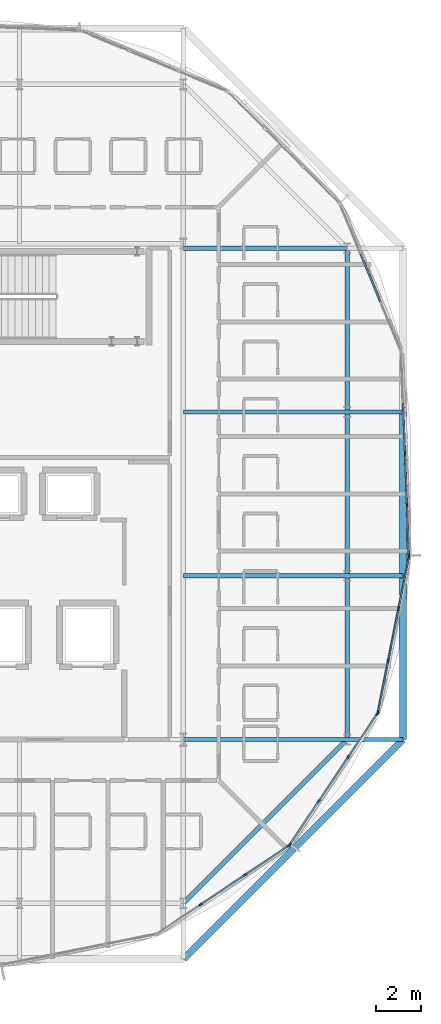
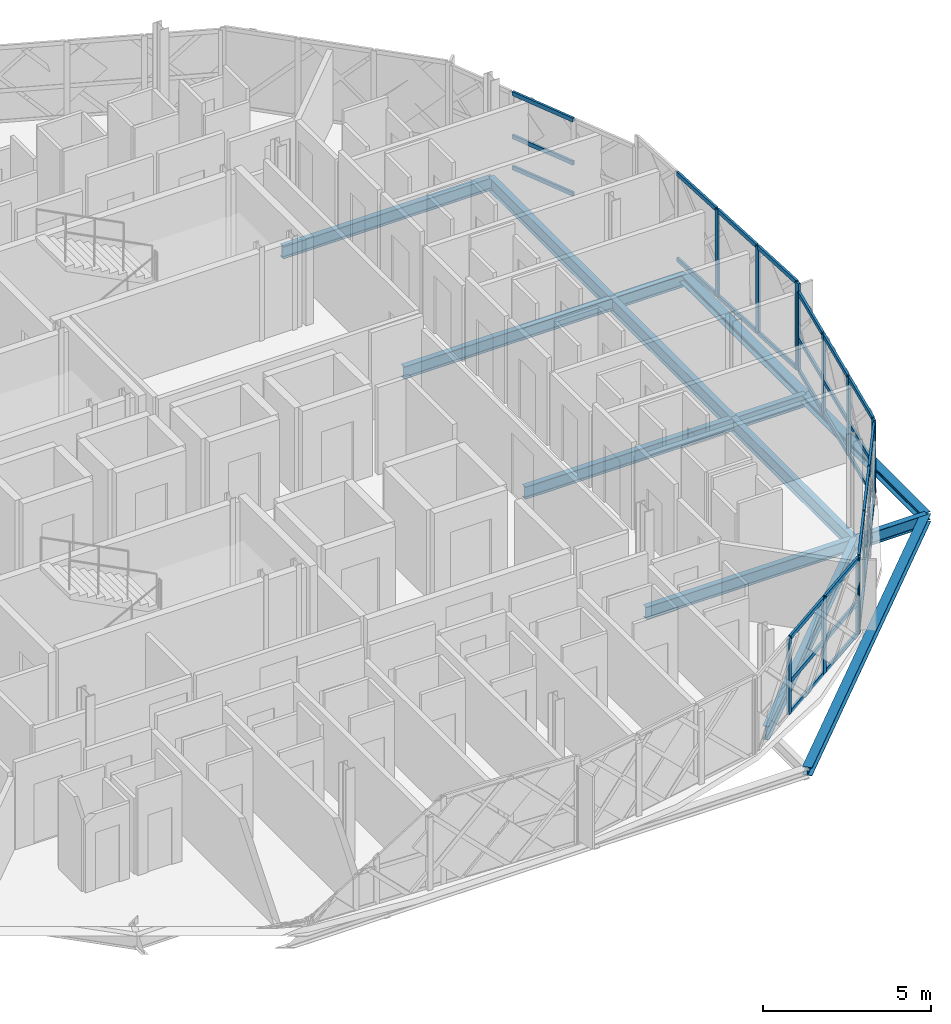
# One storey, part 7 of 24: 44 members, 14 beams, 5 elements without a shape of their own.
"""IFC4 building model written with IfcOpenShell, lengths in metres."""

from ifc_helpers import new_model, si_unit, direction, frame, origin, origin_2d, place, context, subcontext, project, spatial, rectangle, i_section, extrude, material, layer, layer_set, material_profile, profile_set, type_object, element, aggregate, save


model = new_model("IFC4")

# Units and contexts
model_context = context("Model", 3, precision=1e-05, world=origin(), true_north=direction((0.0, 1.0)))
body_context = subcontext(model_context, "Body", "Model", "MODEL_VIEW")
ifc_project = project(units=[si_unit("LENGTHUNIT", "METRE"), si_unit("AREAUNIT", "SQUARE_METRE"), si_unit("VOLUMEUNIT", "CUBIC_METRE"), si_unit("PLANEANGLEUNIT", "RADIAN"), si_unit("MASSUNIT", "GRAM", prefix="KILO")], contexts=[model_context])

# Site, building, storey
site_placement = place(None, origin())
site = spatial("IfcSite", under=ifc_project, at=site_placement, CompositionType="ELEMENT")
building_placement = place(site_placement, origin())
building = spatial("IfcBuilding", under=site, at=building_placement, Name="Zevrakil Square Congress Hotel", CompositionType="ELEMENT")
storey_placement = place(building_placement, frame((0.0, 0.0, 31.699951171875)))
storey = spatial("IfcBuildingStorey", under=building, at=storey_placement, Name="L09", CompositionType="ELEMENT", Elevation=31.699951171875)

# Beams
ifc_material_1 = material(Name="Steel S355", Category="steel")
ifc_material_profile_1 = material_profile(ifc_material_1, i_section(OverallWidth=0.18994140625, OverallDepth=0.449951171875, WebThickness=0.009521484375, FlangeThickness=0.0146484375, FilletRadius=0.02099609375, at=origin_2d()), Name="IPE 450")
ifc_profile_set_1 = profile_set([ifc_material_profile_1], Name="Steel S355")
beam_type_1 = type_object("IfcBeamType", Name="BM-IPE450", PredefinedType="BEAM", material=ifc_profile_set_1)
beam_1_placement = place(storey_placement, frame((156.0, 16.800048828125, -0.449951171875), z_axis=(1.0, 0.0, 0.0), x_axis=(0.0, 1.0, 0.0)))
element("IfcBeam", 1, at=beam_1_placement, inside=storey, type_object=beam_type_1, Name="L09 drum radial floor beam DRI-05", PredefinedType="BEAM", context=body_context, shape_type="SweptSolid", body=[
    extrude(i_section(OverallWidth=0.18994140625, OverallDepth=0.449951171875, WebThickness=0.009521484375, FlangeThickness=0.0146484375, FilletRadius=0.02099609375, at=origin_2d()), origin(), (0.0, 0.0, 1.0), 7.199951171875),
])
beam_2_placement = place(storey_placement, frame((163.199951171875, 16.800048828125, -0.449951171875), z_axis=(1.0, 0.0, 0.0), x_axis=(0.0, 1.0, 0.0)))
element("IfcBeam", 2, at=beam_2_placement, inside=storey, type_object=beam_type_1, Name="L09 drum radial edge cantilever beam DRO-05", PredefinedType="BEAM", context=body_context, shape_type="SweptSolid", body=[
    extrude(i_section(OverallWidth=0.18994140625, OverallDepth=0.449951171875, WebThickness=0.009521484375, FlangeThickness=0.0146484375, FilletRadius=0.02099609375, at=origin_2d()), origin(), (0.0, 0.0, 1.0), 2.455078125),
])
beam_3_placement = place(storey_placement, frame((156.0, 24.0, -0.449951171875), z_axis=(1.0, 0.0, 0.0), x_axis=(0.0, 1.0, 0.0)))
element("IfcBeam", 3, at=beam_3_placement, inside=storey, type_object=beam_type_1, Name="L09 drum radial floor beam DRI-06", PredefinedType="BEAM", context=body_context, shape_type="SweptSolid", body=[
    extrude(i_section(OverallWidth=0.18994140625, OverallDepth=0.449951171875, WebThickness=0.009521484375, FlangeThickness=0.0146484375, FilletRadius=0.02099609375, at=origin_2d()), origin(), (0.0, 0.0, 1.0), 7.199951171875),
])
beam_4_placement = place(storey_placement, frame((163.199951171875, 24.0, -0.449951171875), z_axis=(1.0, 0.0, 0.0), x_axis=(0.0, 1.0, 0.0)))
element("IfcBeam", 4, at=beam_4_placement, inside=storey, type_object=beam_type_1, Name="L09 drum radial edge cantilever beam DRO-06", PredefinedType="BEAM", context=body_context, shape_type="SweptSolid", body=[
    extrude(i_section(OverallWidth=0.18994140625, OverallDepth=0.449951171875, WebThickness=0.009521484375, FlangeThickness=0.0146484375, FilletRadius=0.02099609375, at=origin_2d()), origin(), (0.0, 0.0, 1.0), 2.455078125),
])
beam_5_placement = place(storey_placement, frame((156.0, 31.199951171875, -0.449951171875), z_axis=(1.0, 0.0, 0.0), x_axis=(0.0, 1.0, 0.0)))
element("IfcBeam", 5, at=beam_5_placement, inside=storey, type_object=beam_type_1, Name="L09 drum radial floor beam DRI-07", PredefinedType="BEAM", context=body_context, shape_type="SweptSolid", body=[
    extrude(i_section(OverallWidth=0.18994140625, OverallDepth=0.449951171875, WebThickness=0.009521484375, FlangeThickness=0.0146484375, FilletRadius=0.02099609375, at=origin_2d()), origin(), (0.0, 0.0, 1.0), 7.199951171875),
])
beam_6_placement = place(storey_placement, frame((163.199951171875, 31.199951171875, -0.449951171875), z_axis=(1.0, 0.0, 0.0), x_axis=(0.0, 1.0, 0.0)))
element("IfcBeam", 6, at=beam_6_placement, inside=storey, type_object=beam_type_1, Name="L09 drum radial edge cantilever beam DRO-07", PredefinedType="BEAM", context=body_context, shape_type="SweptSolid", body=[
    extrude(i_section(OverallWidth=0.18994140625, OverallDepth=0.449951171875, WebThickness=0.009521484375, FlangeThickness=0.0146484375, FilletRadius=0.02099609375, at=origin_2d()), origin(), (0.0, 0.0, 1.0), 2.455078125),
])
beam_7_placement = place(storey_placement, frame((156.0, 38.39990234375, -0.449951171875), z_axis=(1.0, 0.0, 0.0), x_axis=(0.0, 1.0, 0.0)))
element("IfcBeam", 7, at=beam_7_placement, inside=storey, type_object=beam_type_1, Name="L09 drum radial floor beam DRI-08", PredefinedType="BEAM", context=body_context, shape_type="SweptSolid", body=[
    extrude(i_section(OverallWidth=0.18994140625, OverallDepth=0.449951171875, WebThickness=0.009521484375, FlangeThickness=0.0146484375, FilletRadius=0.02099609375, at=origin_2d()), origin(), (0.0, 0.0, 1.0), 7.199951171875),
])
ifc_material_2 = material(Name="Steel S355", Category="steel")
ifc_material_profile_2 = material_profile(ifc_material_2, i_section(OverallWidth=0.199951171875, OverallDepth=0.5, WebThickness=0.01025390625, FlangeThickness=0.01611328125, FilletRadius=0.02099609375, at=origin_2d()), Name="IPE 500")
ifc_profile_set_2 = profile_set([ifc_material_profile_2], Name="Steel S355")
beam_type_2 = type_object("IfcBeamType", Name="BM-IPE500", PredefinedType="BEAM", material=ifc_profile_set_2)
beam_8_placement = place(storey_placement, frame((156.0, 9.60009765625, -0.474853515625), z_axis=(0.707106781187, 0.707106781187, 0.0), x_axis=(-0.707106781187, 0.707106781187, 0.0)))
element("IfcBeam", 8, at=beam_8_placement, inside=storey, type_object=beam_type_2, Name="L09 drum ring girder DRB-04", PredefinedType="BEAM", context=body_context, shape_type="SweptSolid", body=[
    extrude(i_section(OverallWidth=0.199951171875, OverallDepth=0.5, WebThickness=0.01025390625, FlangeThickness=0.01611328125, FilletRadius=0.02099609375, at=origin_2d()), origin(), (0.0, 0.0, 1.0), 10.182373046875),
])
for number, where, z_axis, x_axis, name in (
    (9, (163.199951171875, 16.800048828125, -0.474853515625), (0.0, 1.0, 0.0), (-1.0, 0.0, 0.0), "L09 drum ring girder DRB-05"),
    (10, (163.199951171875, 24.0, -0.474853515625), (0.0, 1.0, 0.0), (-1.0, 0.0, 0.0), "L09 drum ring girder DRB-06"),
    (11, (163.199951171875, 31.199951171875, -0.474853515625), (0.0, 1.0, 0.0), (-1.0, 0.0, 0.0), "L09 drum ring girder DRB-07"),
):
    element("IfcBeam", number, at=place(storey_placement, frame(where, z_axis=z_axis, x_axis=x_axis)), inside=storey, type_object=beam_type_2, Name=name, PredefinedType="BEAM", context=body_context, shape_type="SweptSolid", body=[
        extrude(i_section(OverallWidth=0.199951171875, OverallDepth=0.5, WebThickness=0.01025390625, FlangeThickness=0.01611328125, FilletRadius=0.02099609375, at=origin_2d()), origin(), (0.0, 0.0, 1.0), 7.199951171875),
    ])

# Curtain wall, members
ifc_material_3 = material(Name="Aluminium Anodised Bronze", Category="aluminium")
ifc_layer_1 = layer(ifc_material_3, 0.179931640625)
ifc_layer_set_1 = layer_set([ifc_layer_1], Name="Aluminium Anodised Bronze")
curtain_wall_type_1 = type_object("IfcCurtainWallType", Name="CW-L09-720", PredefinedType="USERDEFINED", material=ifc_layer_set_1)
curtain_wall_1_placement = place(storey_placement, origin())
curtain_wall_1 = element("IfcCurtainWall", 12, at=curtain_wall_1_placement, inside=storey, type_object=curtain_wall_type_1, Name="L09 diamond curtain wall CW-L09-0254", ObjectType="GLAZED CURTAIN WALL", PredefinedType="USERDEFINED")
ifc_material_4 = material(Name="Aluminium Anodised Bronze", Category="aluminium")
ifc_material_profile_3 = material_profile(ifc_material_4, rectangle(XDim=0.074951171875, YDim=0.14990234375, at=origin_2d()), Name="ALU 75x150")
ifc_profile_set_3 = profile_set([ifc_material_profile_3], Name="Aluminium Anodised Bronze")
member_type_1 = type_object("IfcMemberType", Name="CWM-ALU75x150", PredefinedType="USERDEFINED", material=ifc_profile_set_3)
member_1_placement = place(storey_placement, frame((156.797607421875, 9.565673828125, 0.030029296875), z_axis=(0.831455548606, 0.555591280253, 0.0), x_axis=(-0.555591280253, 0.831455548606, 0.0)))
member_1 = element("IfcMember", 13, at=member_1_placement, type_object=member_type_1, Name="CW-106 transom 2.1", ObjectType="TRANSOM", PredefinedType="USERDEFINED", context=body_context, shape_type="SweptSolid", body=[
    extrude(rectangle(XDim=0.074951171875, YDim=0.14990234375, at=origin_2d()), origin(), (0.0, 0.0, 1.0), 2.275390625),
])
member_2_placement = place(storey_placement, frame((156.797607421875, 9.565673828125, 1.1572265625), z_axis=(0.831455548606, 0.555591280253, 0.0), x_axis=(-0.555591280253, 0.831455548606, 0.0)))
member_2 = element("IfcMember", 14, at=member_2_placement, type_object=member_type_1, Name="CW-106 transom 2.2", ObjectType="TRANSOM", PredefinedType="USERDEFINED", context=body_context, shape_type="SweptSolid", body=[
    extrude(rectangle(XDim=0.074951171875, YDim=0.14990234375, at=origin_2d()), origin(), (0.0, 0.0, 1.0), 2.275390625),
])
member_3_placement = place(storey_placement, frame((156.797607421875, 9.565673828125, 2.72509765625), z_axis=(0.831455548606, 0.555591280253, 0.0), x_axis=(-0.555591280253, 0.831455548606, 0.0)))
member_3 = element("IfcMember", 15, at=member_3_placement, type_object=member_type_1, Name="CW-106 transom 2.3", ObjectType="TRANSOM", PredefinedType="USERDEFINED", context=body_context, shape_type="SweptSolid", body=[
    extrude(rectangle(XDim=0.074951171875, YDim=0.14990234375, at=origin_2d()), origin(), (0.0, 0.0, 1.0), 2.275390625),
])
member_4_placement = place(storey_placement, frame((158.7392578125, 10.86328125, 0.030029296875), z_axis=(0.831497842201, 0.555527981667, 0.0), x_axis=(-0.555527981667, 0.831497842201, 0.0)))
member_4 = element("IfcMember", 16, at=member_4_placement, type_object=member_type_1, Name="CW-106 transom 3.1", ObjectType="TRANSOM", PredefinedType="USERDEFINED", context=body_context, shape_type="SweptSolid", body=[
    extrude(rectangle(XDim=0.074951171875, YDim=0.14990234375, at=origin_2d()), origin(), (0.0, 0.0, 1.0), 2.245361328125),
])
member_5_placement = place(storey_placement, frame((158.7392578125, 10.86328125, 1.1572265625), z_axis=(0.831497842201, 0.555527981667, 0.0), x_axis=(-0.555527981667, 0.831497842201, 0.0)))
member_5 = element("IfcMember", 17, at=member_5_placement, type_object=member_type_1, Name="CW-106 transom 3.2", ObjectType="TRANSOM", PredefinedType="USERDEFINED", context=body_context, shape_type="SweptSolid", body=[
    extrude(rectangle(XDim=0.074951171875, YDim=0.14990234375, at=origin_2d()), origin(), (0.0, 0.0, 1.0), 2.245361328125),
])
member_6_placement = place(storey_placement, frame((158.7392578125, 10.86328125, 2.72509765625), z_axis=(0.831497842201, 0.555527981667, 0.0), x_axis=(-0.555527981667, 0.831497842201, 0.0)))
member_6 = element("IfcMember", 18, at=member_6_placement, type_object=member_type_1, Name="CW-106 transom 3.3", ObjectType="TRANSOM", PredefinedType="USERDEFINED", context=body_context, shape_type="SweptSolid", body=[
    extrude(rectangle(XDim=0.074951171875, YDim=0.14990234375, at=origin_2d()), origin(), (0.0, 0.0, 1.0), 2.245361328125),
])

curtain_wall_2_placement = place(storey_placement, origin())
curtain_wall_2 = element("IfcCurtainWall", 19, at=curtain_wall_2_placement, inside=storey, type_object=curtain_wall_type_1, Name="L09 diamond curtain wall CW-L09-0255", ObjectType="GLAZED CURTAIN WALL", PredefinedType="USERDEFINED")
member_7_placement = place(storey_placement, frame((160.689453125, 12.19384765625, 0.030029296875), z_axis=(0.555578212179, 0.831464280743, 0.0), x_axis=(-0.831464280743, 0.555578212179, 0.0)))
member_7 = element("IfcMember", 20, at=member_7_placement, type_object=member_type_1, Name="CW-106 transom 1.1", ObjectType="TRANSOM", PredefinedType="USERDEFINED", context=body_context, shape_type="SweptSolid", body=[
    extrude(rectangle(XDim=0.074951171875, YDim=0.14990234375, at=origin_2d()), origin(), (0.0, 0.0, 1.0), 2.2451171875),
])
member_8_placement = place(storey_placement, frame((160.689453125, 12.19384765625, 2.72509765625), z_axis=(0.555578212179, 0.831464280743, 0.0), x_axis=(-0.831464280743, 0.555578212179, 0.0)))
member_8 = element("IfcMember", 21, at=member_8_placement, type_object=member_type_1, Name="CW-106 transom 1.2", ObjectType="TRANSOM", PredefinedType="USERDEFINED", context=body_context, shape_type="SweptSolid", body=[
    extrude(rectangle(XDim=0.074951171875, YDim=0.14990234375, at=origin_2d()), origin(), (0.0, 0.0, 1.0), 2.2451171875),
])
member_9_placement = place(storey_placement, frame((161.97021484375, 14.110595703125, 0.030029296875), z_axis=(0.555566665425, 0.831471996082, 0.0), x_axis=(-0.831471996082, 0.555566665425, 0.0)))
member_9 = element("IfcMember", 22, at=member_9_placement, type_object=member_type_1, Name="CW-106 transom 2.1", ObjectType="TRANSOM", PredefinedType="USERDEFINED", context=body_context, shape_type="SweptSolid", body=[
    extrude(rectangle(XDim=0.074951171875, YDim=0.14990234375, at=origin_2d()), origin(), (0.0, 0.0, 1.0), 2.27490234375),
])
member_10_placement = place(storey_placement, frame((161.97021484375, 14.110595703125, 2.72509765625), z_axis=(0.555566665425, 0.831471996082, 0.0), x_axis=(-0.831471996082, 0.555566665425, 0.0)))
member_10 = element("IfcMember", 23, at=member_10_placement, type_object=member_type_1, Name="CW-106 transom 2.2", ObjectType="TRANSOM", PredefinedType="USERDEFINED", context=body_context, shape_type="SweptSolid", body=[
    extrude(rectangle(XDim=0.074951171875, YDim=0.14990234375, at=origin_2d()), origin(), (0.0, 0.0, 1.0), 2.27490234375),
])
member_11_placement = place(storey_placement, frame((163.267578125, 16.05224609375, 0.030029296875), z_axis=(0.555578212179, 0.831464280743, 0.0), x_axis=(-0.831464280743, 0.555578212179, 0.0)))
member_11 = element("IfcMember", 24, at=member_11_placement, type_object=member_type_1, Name="CW-106 transom 3.1", ObjectType="TRANSOM", PredefinedType="USERDEFINED", context=body_context, shape_type="SweptSolid", body=[
    extrude(rectangle(XDim=0.074951171875, YDim=0.14990234375, at=origin_2d()), origin(), (0.0, 0.0, 1.0), 2.2451171875),
])
member_12_placement = place(storey_placement, frame((163.267578125, 16.05224609375, 2.72509765625), z_axis=(0.555578212179, 0.831464280743, 0.0), x_axis=(-0.831464280743, 0.555578212179, 0.0)))
member_12 = element("IfcMember", 25, at=member_12_placement, type_object=member_type_1, Name="CW-106 transom 3.2", ObjectType="TRANSOM", PredefinedType="USERDEFINED", context=body_context, shape_type="SweptSolid", body=[
    extrude(rectangle(XDim=0.074951171875, YDim=0.14990234375, at=origin_2d()), origin(), (0.0, 0.0, 1.0), 2.2451171875),
])

curtain_wall_3_placement = place(storey_placement, origin())
curtain_wall_3 = element("IfcCurtainWall", 26, at=curtain_wall_3_placement, inside=storey, type_object=curtain_wall_type_1, Name="L09 diamond curtain wall CW-L09-0256", ObjectType="GLAZED CURTAIN WALL", PredefinedType="USERDEFINED")
member_13_placement = place(storey_placement, frame((164.56005859375, 18.02783203125, 0.030029296875), z_axis=(0.195091300997, 0.980785085671, 0.0), x_axis=(-0.980785085671, 0.195091300997, 0.0)))
member_13 = element("IfcMember", 27, at=member_13_placement, type_object=member_type_1, Name="CW-106 transom 1.1", ObjectType="TRANSOM", PredefinedType="USERDEFINED", context=body_context, shape_type="SweptSolid", body=[
    extrude(rectangle(XDim=0.074951171875, YDim=0.14990234375, at=origin_2d()), origin(), (0.0, 0.0, 1.0), 2.2451171875),
])
member_14_placement = place(storey_placement, frame((164.56005859375, 18.02783203125, 1.19921875), z_axis=(0.195091300997, 0.980785085671, 0.0), x_axis=(-0.980785085671, 0.195091300997, 0.0)))
member_14 = element("IfcMember", 28, at=member_14_placement, type_object=member_type_1, Name="CW-106 transom 1.2", ObjectType="TRANSOM", PredefinedType="USERDEFINED", context=body_context, shape_type="SweptSolid", body=[
    extrude(rectangle(XDim=0.074951171875, YDim=0.14990234375, at=origin_2d()), origin(), (0.0, 0.0, 1.0), 2.2451171875),
])
member_15_placement = place(storey_placement, frame((164.56005859375, 18.02783203125, 2.824951171875), z_axis=(0.195091300997, 0.980785085671, 0.0), x_axis=(-0.980785085671, 0.195091300997, 0.0)))
member_15 = element("IfcMember", 29, at=member_15_placement, type_object=member_type_1, Name="CW-106 transom 1.3", ObjectType="TRANSOM", PredefinedType="USERDEFINED", context=body_context, shape_type="SweptSolid", body=[
    extrude(rectangle(XDim=0.074951171875, YDim=0.14990234375, at=origin_2d()), origin(), (0.0, 0.0, 1.0), 2.2451171875),
])
member_16_placement = place(storey_placement, frame((165.009765625, 20.28857421875, 0.030029296875), z_axis=(0.19506369837, 0.9807905758, 0.0), x_axis=(-0.9807905758, 0.19506369837, 0.0)))
member_16 = element("IfcMember", 30, at=member_16_placement, type_object=member_type_1, Name="CW-106 transom 2.1", ObjectType="TRANSOM", PredefinedType="USERDEFINED", context=body_context, shape_type="SweptSolid", body=[
    extrude(rectangle(XDim=0.074951171875, YDim=0.14990234375, at=origin_2d()), origin(), (0.0, 0.0, 1.0), 2.275390625),
])
member_17_placement = place(storey_placement, frame((165.009765625, 20.28857421875, 1.19921875), z_axis=(0.19506369837, 0.9807905758, 0.0), x_axis=(-0.9807905758, 0.19506369837, 0.0)))
member_17 = element("IfcMember", 31, at=member_17_placement, type_object=member_type_1, Name="CW-106 transom 2.2", ObjectType="TRANSOM", PredefinedType="USERDEFINED", context=body_context, shape_type="SweptSolid", body=[
    extrude(rectangle(XDim=0.074951171875, YDim=0.14990234375, at=origin_2d()), origin(), (0.0, 0.0, 1.0), 2.275390625),
])
member_18_placement = place(storey_placement, frame((165.009765625, 20.28857421875, 2.824951171875), z_axis=(0.19506369837, 0.9807905758, 0.0), x_axis=(-0.9807905758, 0.19506369837, 0.0)))
member_18 = element("IfcMember", 32, at=member_18_placement, type_object=member_type_1, Name="CW-106 transom 2.3", ObjectType="TRANSOM", PredefinedType="USERDEFINED", context=body_context, shape_type="SweptSolid", body=[
    extrude(rectangle(XDim=0.074951171875, YDim=0.14990234375, at=origin_2d()), origin(), (0.0, 0.0, 1.0), 2.275390625),
])
member_19_placement = place(storey_placement, frame((165.46533203125, 22.5791015625, 0.030029296875), z_axis=(0.195070495322, 0.98078922397, 0.0), x_axis=(-0.98078922397, 0.195070495322, 0.0)))
member_19 = element("IfcMember", 33, at=member_19_placement, type_object=member_type_1, Name="CW-106 transom 3.1", ObjectType="TRANSOM", PredefinedType="USERDEFINED", context=body_context, shape_type="SweptSolid", body=[
    extrude(rectangle(XDim=0.074951171875, YDim=0.14990234375, at=origin_2d()), origin(), (0.0, 0.0, 1.0), 2.245361328125),
])
member_20_placement = place(storey_placement, frame((165.46533203125, 22.5791015625, 1.19921875), z_axis=(0.195070495322, 0.98078922397, 0.0), x_axis=(-0.98078922397, 0.195070495322, 0.0)))
member_20 = element("IfcMember", 34, at=member_20_placement, type_object=member_type_1, Name="CW-106 transom 3.2", ObjectType="TRANSOM", PredefinedType="USERDEFINED", context=body_context, shape_type="SweptSolid", body=[
    extrude(rectangle(XDim=0.074951171875, YDim=0.14990234375, at=origin_2d()), origin(), (0.0, 0.0, 1.0), 2.245361328125),
])
member_21_placement = place(storey_placement, frame((165.46533203125, 22.5791015625, 2.824951171875), z_axis=(0.195070495322, 0.98078922397, 0.0), x_axis=(-0.98078922397, 0.195070495322, 0.0)))
member_21 = element("IfcMember", 35, at=member_21_placement, type_object=member_type_1, Name="CW-106 transom 3.3", ObjectType="TRANSOM", PredefinedType="USERDEFINED", context=body_context, shape_type="SweptSolid", body=[
    extrude(rectangle(XDim=0.074951171875, YDim=0.14990234375, at=origin_2d()), origin(), (0.0, 0.0, 1.0), 2.245361328125),
])

ifc_material_5 = material(Name="Aluminium Anodised Bronze", Category="aluminium")
ifc_layer_2 = layer(ifc_material_5, 0.179931640625)
ifc_layer_set_2 = layer_set([ifc_layer_2], Name="Aluminium Anodised Bronze")
curtain_wall_type_2 = type_object("IfcCurtainWallType", Name="CW-L09-900", PredefinedType="USERDEFINED", material=ifc_layer_set_2)
curtain_wall_4_placement = place(storey_placement, origin())
curtain_wall_4 = element("IfcCurtainWall", 36, at=curtain_wall_4_placement, inside=storey, type_object=curtain_wall_type_2, Name="L09 diamond curtain wall CW-L09-0257", ObjectType="GLAZED CURTAIN WALL", PredefinedType="USERDEFINED")
member_22_placement = place(storey_placement, frame((165.91259765625, 24.89990234375, 0.030029296875), z_axis=(-0.038186533987, 0.999270628319, 0.0), x_axis=(-0.999270628319, -0.038186533987, 0.0)))
member_22 = element("IfcMember", 37, at=member_22_placement, type_object=member_type_1, Name="CW-108 transom 1.1", ObjectType="TRANSOM", PredefinedType="USERDEFINED", context=body_context, shape_type="SweptSolid", body=[
    extrude(rectangle(XDim=0.074951171875, YDim=0.14990234375, at=origin_2d()), origin(), (0.0, 0.0, 1.0), 2.167236328125),
])
member_23_placement = place(storey_placement, frame((165.91259765625, 24.89990234375, 3.14013671875), z_axis=(-0.038186533987, 0.999270628319, 0.0), x_axis=(-0.999270628319, -0.038186533987, 0.0)))
member_23 = element("IfcMember", 38, at=member_23_placement, type_object=member_type_1, Name="CW-108 transom 1.2", ObjectType="TRANSOM", PredefinedType="USERDEFINED", context=body_context, shape_type="SweptSolid", body=[
    extrude(rectangle(XDim=0.074951171875, YDim=0.14990234375, at=origin_2d()), origin(), (0.0, 0.0, 1.0), 2.167236328125),
])
member_24_placement = place(storey_placement, frame((165.82763671875, 27.125732421875, 0.030029296875), z_axis=(-0.038219775291, 0.999269357469, 0.0), x_axis=(-0.999269357469, -0.038219775291, 0.0)))
member_24 = element("IfcMember", 39, at=member_24_placement, type_object=member_type_1, Name="CW-108 transom 2.1", ObjectType="TRANSOM", PredefinedType="USERDEFINED", context=body_context, shape_type="SweptSolid", body=[
    extrude(rectangle(XDim=0.074951171875, YDim=0.14990234375, at=origin_2d()), origin(), (0.0, 0.0, 1.0), 2.197509765625),
])
member_25_placement = place(storey_placement, frame((165.82763671875, 27.125732421875, 3.14013671875), z_axis=(-0.038219775291, 0.999269357469, 0.0), x_axis=(-0.999269357469, -0.038219775291, 0.0)))
member_25 = element("IfcMember", 40, at=member_25_placement, type_object=member_type_1, Name="CW-108 transom 2.2", ObjectType="TRANSOM", PredefinedType="USERDEFINED", context=body_context, shape_type="SweptSolid", body=[
    extrude(rectangle(XDim=0.074951171875, YDim=0.14990234375, at=origin_2d()), origin(), (0.0, 0.0, 1.0), 2.197509765625),
])
member_26_placement = place(storey_placement, frame((165.741455078125, 29.38134765625, 0.030029296875), z_axis=(-0.038219775291, 0.999269357469, 0.0), x_axis=(-0.999269357469, -0.038219775291, 0.0)))
member_26 = element("IfcMember", 41, at=member_26_placement, type_object=member_type_1, Name="CW-108 transom 3.1", ObjectType="TRANSOM", PredefinedType="USERDEFINED", context=body_context, shape_type="SweptSolid", body=[
    extrude(rectangle(XDim=0.074951171875, YDim=0.14990234375, at=origin_2d()), origin(), (0.0, 0.0, 1.0), 2.197509765625),
])
member_27_placement = place(storey_placement, frame((165.741455078125, 29.38134765625, 3.14013671875), z_axis=(-0.038219775291, 0.999269357469, 0.0), x_axis=(-0.999269357469, -0.038219775291, 0.0)))
member_27 = element("IfcMember", 42, at=member_27_placement, type_object=member_type_1, Name="CW-108 transom 3.2", ObjectType="TRANSOM", PredefinedType="USERDEFINED", context=body_context, shape_type="SweptSolid", body=[
    extrude(rectangle(XDim=0.074951171875, YDim=0.14990234375, at=origin_2d()), origin(), (0.0, 0.0, 1.0), 2.197509765625),
])

curtain_wall_5_placement = place(storey_placement, origin())
curtain_wall_5 = element("IfcCurtainWall", 43, at=curtain_wall_5_placement, inside=storey, type_object=curtain_wall_type_1, Name="L09 diamond curtain wall CW-L09-0258", ObjectType="GLAZED CURTAIN WALL", PredefinedType="USERDEFINED")
member_28_placement = place(storey_placement, frame((164.664794921875, 36.048095703125, 0.030029296875), z_axis=(-0.382648740238, 0.923893901698, 0.0), x_axis=(-0.923893901698, -0.382648740238, 0.0)))
member_28 = element("IfcMember", 44, at=member_28_placement, type_object=member_type_1, Name="CW-106 transom 2.1", ObjectType="TRANSOM", PredefinedType="USERDEFINED", context=body_context, shape_type="SweptSolid", body=[
    extrude(rectangle(XDim=0.074951171875, YDim=0.14990234375, at=origin_2d()), origin(), (0.0, 0.0, 1.0), 2.275146484375),
])
member_29_placement = place(storey_placement, frame((164.664794921875, 36.048095703125, 1.1572265625), z_axis=(-0.382648740238, 0.923893901698, 0.0), x_axis=(-0.923893901698, -0.382648740238, 0.0)))
member_29 = element("IfcMember", 45, at=member_29_placement, type_object=member_type_1, Name="CW-106 transom 2.2", ObjectType="TRANSOM", PredefinedType="USERDEFINED", context=body_context, shape_type="SweptSolid", body=[
    extrude(rectangle(XDim=0.074951171875, YDim=0.14990234375, at=origin_2d()), origin(), (0.0, 0.0, 1.0), 2.275146484375),
])
member_30_placement = place(storey_placement, frame((164.664794921875, 36.048095703125, 2.72509765625), z_axis=(-0.382648740238, 0.923893901698, 0.0), x_axis=(-0.923893901698, -0.382648740238, 0.0)))
member_30 = element("IfcMember", 46, at=member_30_placement, type_object=member_type_1, Name="CW-106 transom 2.3", ObjectType="TRANSOM", PredefinedType="USERDEFINED", context=body_context, shape_type="SweptSolid", body=[
    extrude(rectangle(XDim=0.074951171875, YDim=0.14990234375, at=origin_2d()), origin(), (0.0, 0.0, 1.0), 2.275146484375),
])
aggregate(curtain_wall_5, [member_28, member_29, member_30])

# Member
ifc_material_6 = material(Name="Aluminium Anodised Bronze", Category="aluminium")
ifc_material_profile_4 = material_profile(ifc_material_6, rectangle(XDim=0.074951171875, YDim=0.179931640625, at=origin_2d()), Name="ALU 75x180")
ifc_profile_set_4 = profile_set([ifc_material_profile_4], Name="Aluminium Anodised Bronze")
member_type_2 = type_object("IfcMemberType", Name="CWM-ALU75x180", PredefinedType="MULLION", material=ifc_profile_set_4)
member_31_placement = place(storey_placement, frame((156.772705078125, 9.549072265625, 0.0), z_axis=(0.0, 0.0, 1.0), x_axis=(-0.555576098128, 0.831465693332, 0.0)))
member_31 = element("IfcMember", 47, at=member_31_placement, type_object=member_type_2, Name="CW-106 mullion 2", PredefinedType="MULLION", context=body_context, shape_type="SweptSolid", body=[
    extrude(rectangle(XDim=0.074951171875, YDim=0.179931640625, at=origin_2d()), origin(), (0.0, 0.0, 1.0), 2.755126953125),
])

member_32_placement = place(storey_placement, frame((158.71435546875, 10.846435546875, 0.0), z_axis=(0.0, 0.0, 1.0), x_axis=(-0.555576098128, 0.831465693332, 0.0)))
member_32 = element("IfcMember", 48, at=member_32_placement, type_object=member_type_2, Name="CW-106 mullion 3", PredefinedType="MULLION", context=body_context, shape_type="SweptSolid", body=[
    extrude(rectangle(XDim=0.074951171875, YDim=0.179931640625, at=origin_2d()), origin(), (0.0, 0.0, 1.0), 2.755126953125),
])

member_33_placement = place(storey_placement, frame((160.631103515625, 12.127197265625, 0.0), z_axis=(0.0, 0.0, 1.0), x_axis=(-0.555576098128, 0.831465693332, 0.0)))
member_33 = element("IfcMember", 49, at=member_33_placement, type_object=member_type_2, Name="CW-106 mullion 4", PredefinedType="MULLION", context=body_context, shape_type="SweptSolid", body=[
    extrude(rectangle(XDim=0.074951171875, YDim=0.179931640625, at=origin_2d()), origin(), (0.0, 0.0, 1.0), 2.755126953125),
])

aggregate(curtain_wall_1, [member_31, member_32, member_33, member_1, member_2, member_3, member_4, member_5, member_6])

member_34_placement = place(storey_placement, frame((160.6728515625, 12.1689453125, 0.0), z_axis=(0.0, 0.0, 1.0), x_axis=(-0.831465693332, 0.555576098128, 0.0)))
member_34 = element("IfcMember", 50, at=member_34_placement, type_object=member_type_2, Name="CW-106 mullion 1", PredefinedType="MULLION", context=body_context, shape_type="SweptSolid", body=[
    extrude(rectangle(XDim=0.074951171875, YDim=0.179931640625, at=origin_2d()), origin(), (0.0, 0.0, 1.0), 2.755126953125),
])

member_35_placement = place(storey_placement, frame((161.95361328125, 14.08544921875, 0.0), z_axis=(0.0, 0.0, 1.0), x_axis=(-0.831465693332, 0.555576098128, 0.0)))
member_35 = element("IfcMember", 51, at=member_35_placement, type_object=member_type_2, Name="CW-106 mullion 2", PredefinedType="MULLION", context=body_context, shape_type="SweptSolid", body=[
    extrude(rectangle(XDim=0.074951171875, YDim=0.179931640625, at=origin_2d()), origin(), (0.0, 0.0, 1.0), 2.755126953125),
])

member_36_placement = place(storey_placement, frame((163.2509765625, 16.02734375, 0.0), z_axis=(0.0, 0.0, 1.0), x_axis=(-0.831465693332, 0.555576098128, 0.0)))
member_36 = element("IfcMember", 52, at=member_36_placement, type_object=member_type_2, Name="CW-106 mullion 3", PredefinedType="MULLION", context=body_context, shape_type="SweptSolid", body=[
    extrude(rectangle(XDim=0.074951171875, YDim=0.179931640625, at=origin_2d()), origin(), (0.0, 0.0, 1.0), 2.755126953125),
])

member_37_placement = place(storey_placement, frame((164.53173828125, 17.94384765625, 0.0), z_axis=(0.0, 0.0, 1.0), x_axis=(-0.831465693332, 0.555576098128, 0.0)))
member_37 = element("IfcMember", 53, at=member_37_placement, type_object=member_type_2, Name="CW-106 mullion 4", PredefinedType="MULLION", context=body_context, shape_type="SweptSolid", body=[
    extrude(rectangle(XDim=0.074951171875, YDim=0.179931640625, at=origin_2d()), origin(), (0.0, 0.0, 1.0), 2.755126953125),
])

aggregate(curtain_wall_2, [member_34, member_35, member_36, member_37, member_7, member_8, member_9, member_10, member_11, member_12])

member_38_placement = place(storey_placement, frame((164.55419921875, 17.998291015625, 0.0), z_axis=(0.0, 0.0, 1.0), x_axis=(-0.980786557708, 0.195083900459, 0.0)))
member_38 = element("IfcMember", 54, at=member_38_placement, type_object=member_type_2, Name="CW-106 mullion 1", PredefinedType="MULLION", context=body_context, shape_type="SweptSolid", body=[
    extrude(rectangle(XDim=0.074951171875, YDim=0.179931640625, at=origin_2d()), origin(), (0.0, 0.0, 1.0), 2.85498046875),
])

member_39_placement = place(storey_placement, frame((165.00390625, 20.25927734375, 0.0), z_axis=(0.0, 0.0, 1.0), x_axis=(-0.980786557708, 0.195083900459, 0.0)))
member_39 = element("IfcMember", 55, at=member_39_placement, type_object=member_type_2, Name="CW-106 mullion 2", PredefinedType="MULLION", context=body_context, shape_type="SweptSolid", body=[
    extrude(rectangle(XDim=0.074951171875, YDim=0.179931640625, at=origin_2d()), origin(), (0.0, 0.0, 1.0), 2.85498046875),
])

member_40_placement = place(storey_placement, frame((165.45947265625, 22.549560546875, 0.0), z_axis=(0.0, 0.0, 1.0), x_axis=(-0.980786557708, 0.195083900459, 0.0)))
member_40 = element("IfcMember", 56, at=member_40_placement, type_object=member_type_2, Name="CW-106 mullion 3", PredefinedType="MULLION", context=body_context, shape_type="SweptSolid", body=[
    extrude(rectangle(XDim=0.074951171875, YDim=0.179931640625, at=origin_2d()), origin(), (0.0, 0.0, 1.0), 2.85498046875),
])

member_41_placement = place(storey_placement, frame((165.9091796875, 24.810546875, 0.0), z_axis=(0.0, 0.0, 1.0), x_axis=(-0.980786557708, 0.195083900459, 0.0)))
member_41 = element("IfcMember", 57, at=member_41_placement, type_object=member_type_2, Name="CW-106 mullion 4", PredefinedType="MULLION", context=body_context, shape_type="SweptSolid", body=[
    extrude(rectangle(XDim=0.074951171875, YDim=0.179931640625, at=origin_2d()), origin(), (0.0, 0.0, 1.0), 2.85498046875),
])

aggregate(curtain_wall_3, [member_38, member_39, member_40, member_41, member_13, member_14, member_15, member_16, member_17, member_18, member_19, member_20, member_21])

member_42_placement = place(storey_placement, frame((165.913818359375, 24.869873046875, 0.0), z_axis=(0.0, 0.0, 1.0), x_axis=(-0.999269786869, -0.03820854684, 0.0)))
member_42 = element("IfcMember", 58, at=member_42_placement, type_object=member_type_2, Name="CW-108 mullion 1", PredefinedType="MULLION", context=body_context, shape_type="SweptSolid", body=[
    extrude(rectangle(XDim=0.074951171875, YDim=0.179931640625, at=origin_2d()), origin(), (0.0, 0.0, 1.0), 3.170166015625),
])

member_43_placement = place(storey_placement, frame((165.828857421875, 27.095703125, 0.0), z_axis=(0.0, 0.0, 1.0), x_axis=(-0.999269786869, -0.03820854684, 0.0)))
member_43 = element("IfcMember", 59, at=member_43_placement, type_object=member_type_2, Name="CW-108 mullion 2", PredefinedType="MULLION", context=body_context, shape_type="SweptSolid", body=[
    extrude(rectangle(XDim=0.074951171875, YDim=0.179931640625, at=origin_2d()), origin(), (0.0, 0.0, 1.0), 3.170166015625),
])

member_44_placement = place(storey_placement, frame((165.742431640625, 29.351318359375, 0.0), z_axis=(0.0, 0.0, 1.0), x_axis=(-0.999269786869, -0.03820854684, 0.0)))
member_44 = element("IfcMember", 60, at=member_44_placement, type_object=member_type_2, Name="CW-108 mullion 3", PredefinedType="MULLION", context=body_context, shape_type="SweptSolid", body=[
    extrude(rectangle(XDim=0.074951171875, YDim=0.179931640625, at=origin_2d()), origin(), (0.0, 0.0, 1.0), 3.170166015625),
])

aggregate(curtain_wall_4, [member_42, member_43, member_44, member_22, member_23, member_24, member_25, member_26, member_27])

# Beams
ifc_material_7 = material(Name="Steel S355", Category="steel")
ifc_material_profile_5 = material_profile(ifc_material_7, i_section(OverallWidth=0.300048828125, OverallDepth=0.300048828125, WebThickness=0.010986328125, FlangeThickness=0.01904296875, FilletRadius=0.027099609375, at=origin_2d()), Name="HEB 300")
ifc_profile_set_5 = profile_set([ifc_material_profile_5], Name="Steel S355")
beam_type_3 = type_object("IfcBeamType", Name="SPD-RHS250", PredefinedType="SPANDREL", material=ifc_profile_set_5)
beam_9_placement = place(storey_placement, frame((156.0, 7.14501953125, -0.375), z_axis=(0.707106781187, 0.707106781187, 0.0), x_axis=(-0.707106781187, 0.707106781187, 0.0)))
element("IfcBeam", 61, at=beam_9_placement, inside=storey, type_object=beam_type_3, Name="L09 drum edge spandrel beam DSP-03", PredefinedType="SPANDREL", context=body_context, shape_type="SweptSolid", body=[
    extrude(i_section(OverallWidth=0.300048828125, OverallDepth=0.300048828125, WebThickness=0.010986328125, FlangeThickness=0.01904296875, FilletRadius=0.027099609375, at=origin_2d()), origin(), (0.0, 0.0, 1.0), 13.654296875),
])
for number, where, z_axis, x_axis, name in (
    (62, (165.655029296875, 16.800048828125, -0.375), (0.0, 1.0, 0.0), (-1.0, 0.0, 0.0), "L09 drum edge spandrel beam DSP-04"),
    (63, (165.655029296875, 24.0, -0.375), (0.0, 1.0, 0.0), (-1.0, 0.0, 0.0), "L09 drum edge spandrel beam DSP-05"),
):
    element("IfcBeam", number, at=place(storey_placement, frame(where, z_axis=z_axis, x_axis=x_axis)), inside=storey, type_object=beam_type_3, Name=name, PredefinedType="SPANDREL", context=body_context, shape_type="SweptSolid", body=[
        extrude(i_section(OverallWidth=0.300048828125, OverallDepth=0.300048828125, WebThickness=0.010986328125, FlangeThickness=0.01904296875, FilletRadius=0.027099609375, at=origin_2d()), origin(), (0.0, 0.0, 1.0), 7.199951171875),
    ])

save(model, "model.ifc")
